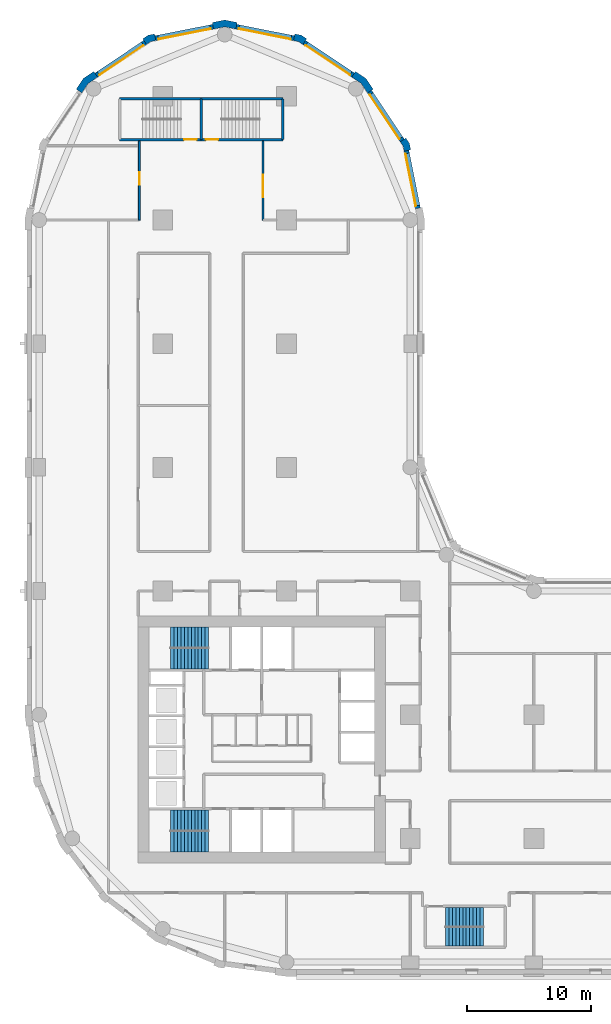
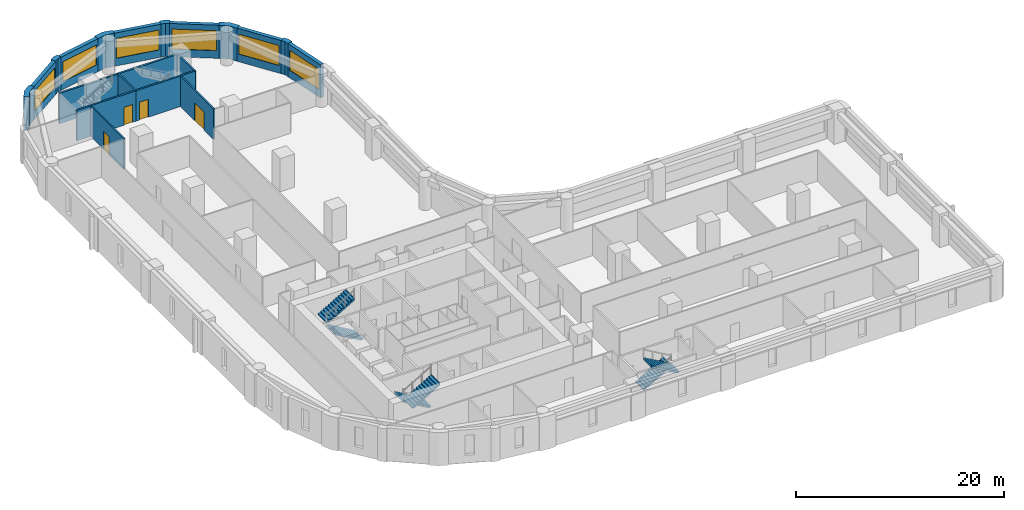
# One storey, part 8 of 11: 20 walls, 6 stair flights, 6 windows, 4 doors, 10 openings, 3 elements without a shape of their own.
"""IFC4 building model written with IfcOpenShell, lengths in metres."""

from ifc_helpers import new_model, si_unit, direction, frame, frame_2d, origin, place, context, subcontext, project, spatial, polyline, rectangle, outline, extrude, material, layer, layer_set, type_object, element, fill, aggregate, save


model = new_model("IFC4")

# Units and contexts
model_context = context("Model", 3, precision=1e-05, world=origin(), true_north=direction((0.0, 1.0)))
body_context = subcontext(model_context, "Body", "Model", "MODEL_VIEW")
ifc_project = project(units=[si_unit("LENGTHUNIT", "METRE"), si_unit("AREAUNIT", "SQUARE_METRE"), si_unit("VOLUMEUNIT", "CUBIC_METRE"), si_unit("PLANEANGLEUNIT", "RADIAN"), si_unit("MASSUNIT", "GRAM", prefix="KILO")], contexts=[model_context])

# Site, building, storey
site_placement = place(None, origin())
site = spatial("IfcSite", under=ifc_project, at=site_placement, CompositionType="ELEMENT")
building_placement = place(site_placement, origin())
building = spatial("IfcBuilding", under=site, at=building_placement, Name="Qaws Garden Tower", CompositionType="ELEMENT")
storey_placement = place(building_placement, frame((0.0, 0.0, 82.199951171875)))
storey = spatial("IfcBuildingStorey", under=building, at=storey_placement, Name="L20", CompositionType="ELEMENT", Elevation=82.199951171875)

# Wall, opening, window
ifc_material_1 = material(Name="Buff clay facing brick masonry", Category="masonry")
ifc_layer_1 = layer(ifc_material_1, 0.39990234375)
ifc_layer_set_1 = layer_set([ifc_layer_1], Name="Buff clay facing brick masonry")
wall_type_1 = type_object("IfcWallType", Name="Buff brick infill wall 400", PredefinedType="SOLIDWALL", material=ifc_layer_set_1)
wall_1_placement = place(storey_placement, frame((30.628662109375, 60.940673828125, 0.0), z_axis=(0.0, 0.0, 1.0), x_axis=(-0.195098533057, 0.98078364709, 0.0)))
wall_1 = element("IfcWall", 1, at=wall_1_placement, inside=storey, type_object=wall_type_1, Name="E-L20-infill-15", PredefinedType="SOLIDWALL", context=body_context, shape_type="SweptSolid", body=[
    extrude(rectangle(XDim=4.752685546875, YDim=0.39990234375, at=frame_2d((2.37646484375, 0.0))), origin(), (0.0, 0.0, 1.0), 3.900146484375),
])
opening_1_placement = place(wall_1_placement, frame((0.226318359375, 0.0, 0.89990234375)))
opening_1 = element("IfcOpeningElement", 2, at=opening_1_placement, cuts=wall_1, Name="Opening W06", PredefinedType="OPENING", context=body_context, shape_type="SweptSolid", body=[
    extrude(rectangle(XDim=4.300048828125, YDim=2.35009765625, at=frame_2d((2.14990234375, 1.175048828125))), frame((0.0, 0.2099609375, 0.0), z_axis=(0.0, -1.0, 0.0), x_axis=(1.0, 0.0, 0.0)), (0.0, 0.0, 1.0), 0.419921875),
])
ifc_material_2 = material(Name="Aluminium framed window, clear glazing", Category="aluminium")
window_type = type_object("IfcWindowType", Name="Ribbon window 4300 x 2350", PartitioningType="DOUBLE_PANEL_VERTICAL", PredefinedType="WINDOW", material=ifc_material_2)
window_1_placement = place(opening_1_placement, origin())
window_1 = element("IfcWindow", 3, at=window_1_placement, inside=storey, type_object=window_type, Name="E-L20-window-15-0", OverallHeight=2.35009765625, OverallWidth=4.300048828125, PartitioningType="SINGLE_PANEL", PredefinedType="WINDOW", context=body_context, shape_type="SweptSolid", body=[
    extrude(rectangle(XDim=4.300048828125, YDim=2.35009765625, at=frame_2d((2.14990234375, 1.175048828125))), frame((0.0, 0.159912109375, 0.0), z_axis=(0.0, -1.0, 0.0), x_axis=(1.0, 0.0, 0.0)), (0.0, 0.0, 1.0), 0.06005859375),
])
fill(opening_1, window_1)

wall_2_placement = place(storey_placement, frame((29.356689453125, 66.43408203125, 0.0), z_axis=(0.0, 0.0, 1.0), x_axis=(-0.555541552266, 0.831488775454, 0.0)))
wall_2 = element("IfcWall", 4, at=wall_2_placement, inside=storey, type_object=wall_type_1, Name="E-L20-infill-16", PredefinedType="SOLIDWALL", context=body_context, shape_type="SweptSolid", body=[
    extrude(rectangle(XDim=4.752685546875, YDim=0.39990234375, at=frame_2d((2.37646484375, 0.0))), origin(), (0.0, 0.0, 1.0), 3.900146484375),
])
opening_2_placement = place(wall_2_placement, frame((0.226318359375, 0.0, 0.89990234375)))
opening_2 = element("IfcOpeningElement", 5, at=opening_2_placement, cuts=wall_2, Name="Opening W06", PredefinedType="OPENING", context=body_context, shape_type="SweptSolid", body=[
    extrude(rectangle(XDim=4.300048828125, YDim=2.35009765625, at=frame_2d((2.14990234375, 1.175048828125))), frame((0.0, 0.2099609375, 0.0), z_axis=(0.0, -1.0, 0.0), x_axis=(1.0, 0.0, 0.0)), (0.0, 0.0, 1.0), 0.419921875),
])
window_2_placement = place(opening_2_placement, origin())
window_2 = element("IfcWindow", 6, at=window_2_placement, inside=storey, type_object=window_type, Name="E-L20-window-16-0", OverallHeight=2.35009765625, OverallWidth=4.300048828125, PartitioningType="SINGLE_PANEL", PredefinedType="WINDOW", context=body_context, shape_type="SweptSolid", body=[
    extrude(rectangle(XDim=4.300048828125, YDim=2.35009765625, at=frame_2d((2.14990234375, 1.175048828125))), frame((0.0, 0.159912109375, 0.0), z_axis=(0.0, -1.0, 0.0), x_axis=(1.0, 0.0, 0.0)), (0.0, 0.0, 1.0), 0.06005859375),
])
fill(opening_2, window_2)

wall_3_placement = place(storey_placement, frame((25.385986328125, 71.71630859375, 0.0), z_axis=(0.0, 0.0, 1.0), x_axis=(-0.831488775454, 0.555541552266, 0.0)))
wall_3 = element("IfcWall", 7, at=wall_3_placement, inside=storey, type_object=wall_type_1, Name="E-L20-infill-17", PredefinedType="SOLIDWALL", context=body_context, shape_type="SweptSolid", body=[
    extrude(rectangle(XDim=4.752685546875, YDim=0.39990234375, at=frame_2d((2.37646484375, 0.0))), origin(), (0.0, 0.0, 1.0), 3.900146484375),
])
opening_3_placement = place(wall_3_placement, frame((0.226318359375, 0.0, 0.89990234375)))
opening_3 = element("IfcOpeningElement", 8, at=opening_3_placement, cuts=wall_3, Name="Opening W06", PredefinedType="OPENING", context=body_context, shape_type="SweptSolid", body=[
    extrude(rectangle(XDim=4.300048828125, YDim=2.35009765625, at=frame_2d((2.14990234375, 1.175048828125))), frame((0.0, 0.2099609375, 0.0), z_axis=(0.0, -1.0, 0.0), x_axis=(1.0, 0.0, 0.0)), (0.0, 0.0, 1.0), 0.419921875),
])
window_3_placement = place(opening_3_placement, origin())
window_3 = element("IfcWindow", 9, at=window_3_placement, inside=storey, type_object=window_type, Name="E-L20-window-17-0", OverallHeight=2.35009765625, OverallWidth=4.300048828125, PartitioningType="SINGLE_PANEL", PredefinedType="WINDOW", context=body_context, shape_type="SweptSolid", body=[
    extrude(rectangle(XDim=4.300048828125, YDim=2.35009765625, at=frame_2d((2.14990234375, 1.175048828125))), frame((0.0, 0.159912109375, 0.0), z_axis=(0.0, -1.0, 0.0), x_axis=(1.0, 0.0, 0.0)), (0.0, 0.0, 1.0), 0.06005859375),
])
fill(opening_3, window_3)

wall_4_placement = place(storey_placement, frame((20.60205078125, 74.701416015625, 0.0), z_axis=(0.0, 0.0, 1.0), x_axis=(-0.98078364709, 0.195098533057, 0.0)))
wall_4 = element("IfcWall", 10, at=wall_4_placement, inside=storey, type_object=wall_type_1, Name="E-L20-infill-18", PredefinedType="SOLIDWALL", context=body_context, shape_type="SweptSolid", body=[
    extrude(rectangle(XDim=4.752685546875, YDim=0.39990234375, at=frame_2d((2.37646484375, 0.0))), origin(), (0.0, 0.0, 1.0), 3.900146484375),
])
opening_4_placement = place(wall_4_placement, frame((0.226318359375, 0.0, 0.89990234375)))
opening_4 = element("IfcOpeningElement", 11, at=opening_4_placement, cuts=wall_4, Name="Opening W06", PredefinedType="OPENING", context=body_context, shape_type="SweptSolid", body=[
    extrude(rectangle(XDim=4.300048828125, YDim=2.35009765625, at=frame_2d((2.14990234375, 1.175048828125))), frame((0.0, 0.2099609375, 0.0), z_axis=(0.0, -1.0, 0.0), x_axis=(1.0, 0.0, 0.0)), (0.0, 0.0, 1.0), 0.419921875),
])
window_4_placement = place(opening_4_placement, origin())
window_4 = element("IfcWindow", 12, at=window_4_placement, inside=storey, type_object=window_type, Name="E-L20-window-18-0", OverallHeight=2.35009765625, OverallWidth=4.300048828125, PartitioningType="SINGLE_PANEL", PredefinedType="WINDOW", context=body_context, shape_type="SweptSolid", body=[
    extrude(rectangle(XDim=4.300048828125, YDim=2.35009765625, at=frame_2d((2.14990234375, 1.175048828125))), frame((0.0, 0.159912109375, 0.0), z_axis=(0.0, -1.0, 0.0), x_axis=(1.0, 0.0, 0.0)), (0.0, 0.0, 1.0), 0.06005859375),
])
fill(opening_4, window_4)

wall_5_placement = place(storey_placement, frame((14.059326171875, 75.628662109375, 0.0), z_axis=(0.0, 0.0, 1.0), x_axis=(-0.98078364709, -0.195098533057, 0.0)))
wall_5 = element("IfcWall", 13, at=wall_5_placement, inside=storey, type_object=wall_type_1, Name="E-L20-infill-19", PredefinedType="SOLIDWALL", context=body_context, shape_type="SweptSolid", body=[
    extrude(rectangle(XDim=4.752685546875, YDim=0.39990234375, at=frame_2d((2.37646484375, 0.0))), origin(), (0.0, 0.0, 1.0), 3.900146484375),
])
opening_5_placement = place(wall_5_placement, frame((0.226318359375, 0.0, 0.89990234375)))
opening_5 = element("IfcOpeningElement", 14, at=opening_5_placement, cuts=wall_5, Name="Opening W06", PredefinedType="OPENING", context=body_context, shape_type="SweptSolid", body=[
    extrude(rectangle(XDim=4.300048828125, YDim=2.35009765625, at=frame_2d((2.14990234375, 1.175048828125))), frame((0.0, 0.2099609375, 0.0), z_axis=(0.0, -1.0, 0.0), x_axis=(1.0, 0.0, 0.0)), (0.0, 0.0, 1.0), 0.419921875),
])
window_5_placement = place(opening_5_placement, origin())
window_5 = element("IfcWindow", 15, at=window_5_placement, inside=storey, type_object=window_type, Name="E-L20-window-19-0", OverallHeight=2.35009765625, OverallWidth=4.300048828125, PartitioningType="SINGLE_PANEL", PredefinedType="WINDOW", context=body_context, shape_type="SweptSolid", body=[
    extrude(rectangle(XDim=4.300048828125, YDim=2.35009765625, at=frame_2d((2.14990234375, 1.175048828125))), frame((0.0, 0.159912109375, 0.0), z_axis=(0.0, -1.0, 0.0), x_axis=(1.0, 0.0, 0.0)), (0.0, 0.0, 1.0), 0.06005859375),
])
fill(opening_5, window_5)

wall_6_placement = place(storey_placement, frame((8.56591796875, 74.356689453125, 0.0), z_axis=(0.0, 0.0, 1.0), x_axis=(-0.831488775454, -0.555541552266, 0.0)))
wall_6 = element("IfcWall", 16, at=wall_6_placement, inside=storey, type_object=wall_type_1, Name="E-L20-infill-20", PredefinedType="SOLIDWALL", context=body_context, shape_type="SweptSolid", body=[
    extrude(rectangle(XDim=4.752685546875, YDim=0.39990234375, at=frame_2d((2.37646484375, 0.0))), origin(), (0.0, 0.0, 1.0), 3.900146484375),
])
opening_6_placement = place(wall_6_placement, frame((0.226318359375, 0.0, 0.89990234375)))
opening_6 = element("IfcOpeningElement", 17, at=opening_6_placement, cuts=wall_6, Name="Opening W06", PredefinedType="OPENING", context=body_context, shape_type="SweptSolid", body=[
    extrude(rectangle(XDim=4.300048828125, YDim=2.35009765625, at=frame_2d((2.14990234375, 1.175048828125))), frame((0.0, 0.2099609375, 0.0), z_axis=(0.0, -1.0, 0.0), x_axis=(1.0, 0.0, 0.0)), (0.0, 0.0, 1.0), 0.419921875),
])
window_6_placement = place(opening_6_placement, origin())
window_6 = element("IfcWindow", 18, at=window_6_placement, inside=storey, type_object=window_type, Name="E-L20-window-20-0", OverallHeight=2.35009765625, OverallWidth=4.300048828125, PartitioningType="SINGLE_PANEL", PredefinedType="WINDOW", context=body_context, shape_type="SweptSolid", body=[
    extrude(rectangle(XDim=4.300048828125, YDim=2.35009765625, at=frame_2d((2.14990234375, 1.175048828125))), frame((0.0, 0.159912109375, 0.0), z_axis=(0.0, -1.0, 0.0), x_axis=(1.0, 0.0, 0.0)), (0.0, 0.0, 1.0), 0.06005859375),
])
fill(opening_6, window_6)

# Walls
ifc_material_3 = material(Name="Buff clay facing brick masonry", Category="masonry")
ifc_layer_2 = layer(ifc_material_3, 0.550048828125)
ifc_layer_set_2 = layer_set([ifc_layer_2], Name="Buff clay facing brick masonry")
wall_type_2 = type_object("IfcWallType", Name="Buff brick kink pier 550 x 600", PredefinedType="SOLIDWALL", material=ifc_layer_set_2)
placement = place(storey_placement, origin())
element("IfcWall", 19, at=placement, inside=storey, type_object=wall_type_2, Name="E-L20-pier-16", PredefinedType="SOLIDWALL", context=body_context, shape_type="SweptSolid", body=[
    extrude(outline(polyline([(29.8974609375, 65.64111328125), (30.044677734375, 65.67041015625), (29.94140625, 66.18896484375), (29.647705078125, 66.628662109375), (29.52294921875, 66.545166015625), (29.1904296875, 66.322998046875), (29.42333984375, 65.974365234375), (29.505126953125, 65.56298828125), (29.8974609375, 65.64111328125)])), origin(), (0.0, 0.0, 1.0), 3.900146484375),
])
element("IfcWall", 20, at=placement, inside=storey, type_object=wall_type_2, Name="E-L20-pier-18", PredefinedType="SOLIDWALL", context=body_context, shape_type="SweptSolid", body=[
    extrude(outline(polyline([(21.545166015625, 74.52294921875), (21.628662109375, 74.647705078125), (21.18896484375, 74.94140625), (20.67041015625, 75.044677734375), (20.64111328125, 74.8974609375), (20.56298828125, 74.505126953125), (20.974365234375, 74.42333984375), (21.322998046875, 74.1904296875), (21.545166015625, 74.52294921875)])), origin(), (0.0, 0.0, 1.0), 3.900146484375),
])
element("IfcWall", 21, at=placement, inside=storey, type_object=wall_type_2, Name="E-L20-pier-20", PredefinedType="SOLIDWALL", context=body_context, shape_type="SweptSolid", body=[
    extrude(outline(polyline([(9.35888671875, 74.8974609375), (9.32958984375, 75.044677734375), (8.81103515625, 74.94140625), (8.371337890625, 74.647705078125), (8.454833984375, 74.52294921875), (8.677001953125, 74.1904296875), (9.025634765625, 74.42333984375), (9.43701171875, 74.505126953125), (9.35888671875, 74.8974609375)])), origin(), (0.0, 0.0, 1.0), 3.900146484375),
])
ifc_material_4 = material(Name="Buff clay facing brick masonry", Category="masonry")
ifc_layer_3 = layer(ifc_material_4, 0.550048828125)
ifc_layer_set_3 = layer_set([ifc_layer_3], Name="Buff clay facing brick masonry")
wall_type_3 = type_object("IfcWallType", Name="Buff brick pier 550 x 1600", PredefinedType="SOLIDWALL", material=ifc_layer_set_3)
element("IfcWall", 22, at=placement, inside=storey, type_object=wall_type_3, Name="E-L20-pier-17", PredefinedType="SOLIDWALL", context=body_context, shape_type="SweptSolid", body=[
    extrude(outline(polyline([(26.882568359375, 70.4970703125), (27.00732421875, 70.580322265625), (26.435791015625, 71.435791015625), (25.580322265625, 72.00732421875), (25.4970703125, 71.882568359375), (25.274658203125, 71.550048828125), (26.0390625, 71.0390625), (26.550048828125, 70.274658203125), (26.882568359375, 70.4970703125)])), origin(), (0.0, 0.0, 1.0), 3.900146484375),
])
element("IfcWall", 23, at=placement, inside=storey, type_object=wall_type_3, Name="E-L20-pier-19", PredefinedType="SOLIDWALL", context=body_context, shape_type="SweptSolid", body=[
    extrude(outline(polyline([(15.979736328125, 75.82470703125), (16.009033203125, 75.971923828125), (15.0, 76.172607421875), (13.990966796875, 75.971923828125), (14.020263671875, 75.82470703125), (14.098388671875, 75.432373046875), (15.0, 75.61181640625), (15.901611328125, 75.432373046875), (15.979736328125, 75.82470703125)])), origin(), (0.0, 0.0, 1.0), 3.900146484375),
])
element("IfcWall", 24, at=placement, inside=storey, type_object=wall_type_3, Name="E-L20-pier-21", PredefinedType="SOLIDWALL", context=body_context, shape_type="SweptSolid", body=[
    extrude(outline(polyline([(4.5029296875, 71.882568359375), (4.419677734375, 72.00732421875), (3.564208984375, 71.435791015625), (2.99267578125, 70.580322265625), (3.117431640625, 70.4970703125), (3.449951171875, 70.274658203125), (3.9609375, 71.0390625), (4.725341796875, 71.550048828125), (4.5029296875, 71.882568359375)])), origin(), (0.0, 0.0, 1.0), 3.900146484375),
])

# Wall, opening, door
ifc_material_5 = material(Name="Concrete C80", Category="concrete")
ifc_layer_4 = layer(ifc_material_5, 0.199951171875)
ifc_layer_set_4 = layer_set([ifc_layer_4], Name="Concrete C80")
wall_type_4 = type_object("IfcWallType", Name="Core shaft wall 200 C80", PredefinedType="SHEAR", material=ifc_layer_set_4)
wall_13_placement = place(storey_placement, frame((6.5, 66.5, 0.0), z_axis=(0.0, 0.0, 1.0), x_axis=(1.0, 0.0, 0.0)))
wall_13 = element("IfcWall", 25, at=wall_13_placement, inside=storey, type_object=wall_type_4, Name="Shaft wall", PredefinedType="SHEAR", context=body_context, shape_type="SweptSolid", body=[
    extrude(rectangle(XDim=6.60009765625, YDim=0.199951171875, at=frame_2d((3.300048828125, 0.0))), origin(), (0.0, 0.0, 1.0), 3.580078125),
])
opening_7_placement = place(wall_13_placement, frame((5.22509765625, 0.0, 0.0)))
opening_7 = element("IfcOpeningElement", 26, at=opening_7_placement, cuts=wall_13, Name="Opening SD13", PredefinedType="OPENING", context=body_context, shape_type="SweptSolid", body=[
    extrude(rectangle(XDim=1.0, YDim=2.10009765625, at=frame_2d((0.5, 1.050048828125))), frame((0.0, 0.10986328125, 0.0), z_axis=(0.0, -1.0, 0.0), x_axis=(1.0, 0.0, 0.0)), (0.0, 0.0, 1.0), 0.219970703125),
])
ifc_material_6 = material(Name="Steel S235", Category="steel")
door_type_1 = type_object("IfcDoorType", Name="Stair door 1000x2100", OperationType="SINGLE_SWING_RIGHT", PredefinedType="DOOR", material=ifc_material_6)
door_1_placement = place(opening_7_placement, origin())
door_1 = element("IfcDoor", 27, at=door_1_placement, inside=storey, type_object=door_type_1, Name="Stair 6 door", OperationType="SINGLE_SWING_RIGHT", OverallHeight=2.10009765625, OverallWidth=1.0, PredefinedType="DOOR", context=body_context, shape_type="SweptSolid", body=[
    extrude(rectangle(XDim=1.0, YDim=2.10009765625, at=frame_2d((0.5, 1.050048828125))), frame((0.0, 0.02490234375, 0.0), z_axis=(0.0, -1.0, 0.0), x_axis=(1.0, 0.0, 0.0)), (0.0, 0.0, 1.0), 0.050048828125),
])
fill(opening_7, door_1)

wall_14_placement = place(storey_placement, frame((13.10009765625, 66.5, 0.0), z_axis=(0.0, 0.0, 1.0), x_axis=(1.0, 0.0, 0.0)))
wall_14 = element("IfcWall", 28, at=wall_14_placement, inside=storey, type_object=wall_type_4, Name="Shaft wall", PredefinedType="SHEAR", context=body_context, shape_type="SweptSolid", body=[
    extrude(rectangle(XDim=6.599853515625, YDim=0.199951171875, at=frame_2d((3.2998046875, 0.0))), origin(), (0.0, 0.0, 1.0), 3.580078125),
])
opening_8_placement = place(wall_14_placement, frame((0.375, 0.0, 0.0)))
opening_8 = element("IfcOpeningElement", 29, at=opening_8_placement, cuts=wall_14, Name="Opening SD14", PredefinedType="OPENING", context=body_context, shape_type="SweptSolid", body=[
    extrude(rectangle(XDim=1.0, YDim=2.10009765625, at=frame_2d((0.5, 1.050048828125))), frame((0.0, 0.10986328125, 0.0), z_axis=(0.0, -1.0, 0.0), x_axis=(1.0, 0.0, 0.0)), (0.0, 0.0, 1.0), 0.219970703125),
])
door_2_placement = place(opening_8_placement, origin())
door_2 = element("IfcDoor", 30, at=door_2_placement, inside=storey, type_object=door_type_1, Name="Stair 7 door", OperationType="SINGLE_SWING_LEFT", OverallHeight=2.10009765625, OverallWidth=1.0, PredefinedType="DOOR", context=body_context, shape_type="SweptSolid", body=[
    extrude(rectangle(XDim=1.0, YDim=2.10009765625, at=frame_2d((0.5, 1.050048828125))), frame((0.0, 0.02490234375, 0.0), z_axis=(0.0, -1.0, 0.0), x_axis=(1.0, 0.0, 0.0)), (0.0, 0.0, 1.0), 0.050048828125),
])
fill(opening_8, door_2)

# Walls
wall_15_placement = place(storey_placement, frame((6.5, 69.800048828125, 0.0), z_axis=(0.0, 0.0, 1.0), x_axis=(1.0, 0.0, 0.0)))
element("IfcWall", 31, at=wall_15_placement, inside=storey, type_object=wall_type_4, Name="Shaft wall", PredefinedType="SHEAR", context=body_context, shape_type="SweptSolid", body=[
    extrude(rectangle(XDim=6.60009765625, YDim=0.199951171875, at=frame_2d((3.300048828125, 0.0))), origin(), (0.0, 0.0, 1.0), 3.580078125),
])
wall_16_placement = place(storey_placement, frame((13.10009765625, 69.800048828125, 0.0), z_axis=(0.0, 0.0, 1.0), x_axis=(1.0, 0.0, 0.0)))
element("IfcWall", 32, at=wall_16_placement, inside=storey, type_object=wall_type_4, Name="Shaft wall", PredefinedType="SHEAR", context=body_context, shape_type="SweptSolid", body=[
    extrude(rectangle(XDim=6.599853515625, YDim=0.199951171875, at=frame_2d((3.2998046875, 0.0))), origin(), (0.0, 0.0, 1.0), 3.580078125),
])
for number, where, z_axis, x_axis, name in (
    (33, (13.10009765625, 66.5, 0.0), (0.0, 0.0, 1.0), (0.0, 1.0, 0.0), "Shaft wall"),
    (34, (19.699951171875, 66.5, 0.0), (0.0, 0.0, 1.0), (0.0, 1.0, 0.0), "Shaft wall"),
):
    element("IfcWall", number, at=place(storey_placement, frame(where, z_axis=z_axis, x_axis=x_axis)), inside=storey, type_object=wall_type_4, Name=name, PredefinedType="SHEAR", context=body_context, shape_type="SweptSolid", body=[
        extrude(rectangle(XDim=3.300048828125, YDim=0.199951171875, at=frame_2d((1.64990234375, 0.0))), origin(), (0.0, 0.0, 1.0), 3.580078125),
    ])

# Wall, opening, door
ifc_material_7 = material(Name="Gypsum board partition")
ifc_layer_5 = layer(ifc_material_7, 0.14990234375)
ifc_layer_set_5 = layer_set([ifc_layer_5], Name="Gypsum board partition")
wall_type_5 = type_object("IfcWallType", Name="PARTITION 150 EI 60", PredefinedType="PARTITIONING", material=ifc_layer_set_5)
wall_17_placement = place(storey_placement, frame((8.10009765625, 60.0, 0.0), z_axis=(0.0, 0.0, 1.0), x_axis=(0.0, 1.0, 0.0)))
wall_17 = element("IfcWall", 35, at=wall_17_placement, inside=storey, type_object=wall_type_5, Name="O-L20-wall-004", PredefinedType="PARTITIONING", context=body_context, shape_type="SweptSolid", body=[
    extrude(rectangle(XDim=6.39990234375, YDim=0.14990234375, at=frame_2d((3.199951171875, 0.0))), origin(), (0.0, 0.0, 1.0), 3.580078125),
])
opening_9_placement = place(wall_17_placement, frame((2.85009765625, 0.0, 0.0)))
opening_9 = element("IfcOpeningElement", 36, at=opening_9_placement, cuts=wall_17, Name="Opening A716", PredefinedType="OPENING", context=body_context, shape_type="SweptSolid", body=[
    extrude(rectangle(XDim=1.0, YDim=2.10009765625, at=frame_2d((0.5, 1.050048828125))), frame((0.0, 0.0849609375, 0.0), z_axis=(0.0, -1.0, 0.0), x_axis=(1.0, 0.0, 0.0)), (0.0, 0.0, 1.0), 0.169921875),
])
ifc_material_8 = material(Name="Timber door leaf", Category="wood")
door_type_2 = type_object("IfcDoorType", Name="TENANCY ENTRANCE DOOR 1000 X 2100", OperationType="SINGLE_SWING_LEFT", PredefinedType="DOOR", material=ifc_material_8)
door_3_placement = place(opening_9_placement, origin())
door_3 = element("IfcDoor", 37, at=door_3_placement, inside=storey, type_object=door_type_2, Name="O-L20-door-016", OperationType="SINGLE_SWING_LEFT", OverallHeight=2.10009765625, OverallWidth=1.0, PredefinedType="DOOR", context=body_context, shape_type="SweptSolid", body=[
    extrude(rectangle(XDim=1.0, YDim=2.10009765625, at=frame_2d((0.5, 1.050048828125))), frame((0.0, 0.02490234375, 0.0), z_axis=(0.0, -1.0, 0.0), x_axis=(1.0, 0.0, 0.0)), (0.0, 0.0, 1.0), 0.050048828125),
])
fill(opening_9, door_3)

wall_18_placement = place(storey_placement, frame((18.10009765625, 60.0, 0.0), z_axis=(0.0, 0.0, 1.0), x_axis=(0.0, 1.0, 0.0)))
wall_18 = element("IfcWall", 38, at=wall_18_placement, inside=storey, type_object=wall_type_5, Name="O-L20-wall-010", PredefinedType="PARTITIONING", context=body_context, shape_type="SweptSolid", body=[
    extrude(rectangle(XDim=6.39990234375, YDim=0.14990234375, at=frame_2d((3.199951171875, 0.0))), origin(), (0.0, 0.0, 1.0), 3.580078125),
])
opening_10_placement = place(wall_18_placement, frame((1.85009765625, 0.0, 0.0)))
opening_10 = element("IfcOpeningElement", 39, at=opening_10_placement, cuts=wall_18, Name="Opening A717", PredefinedType="OPENING", context=body_context, shape_type="SweptSolid", body=[
    extrude(rectangle(XDim=1.800048828125, YDim=2.10009765625, at=frame_2d((0.89990234375, 1.050048828125))), frame((0.0, 0.0849609375, 0.0), z_axis=(0.0, -1.0, 0.0), x_axis=(1.0, 0.0, 0.0)), (0.0, 0.0, 1.0), 0.169921875),
])
ifc_material_9 = material(Name="Timber door leaf", Category="wood")
door_type_3 = type_object("IfcDoorType", Name="DOUBLE DOOR 1800 X 2100", OperationType="DOUBLE_DOOR_SINGLE_SWING", PredefinedType="DOOR", material=ifc_material_9)
door_4_placement = place(opening_10_placement, frame((1.800048828125, 0.0, 0.0), z_axis=(0.0, 0.0, 1.0), x_axis=(-1.0, 0.0, 0.0)))
door_4 = element("IfcDoor", 40, at=door_4_placement, inside=storey, type_object=door_type_3, Name="O-L20-door-017", OperationType="DOUBLE_DOOR_SINGLE_SWING", OverallHeight=2.10009765625, OverallWidth=1.800048828125, PredefinedType="DOOR", context=body_context, shape_type="SweptSolid", body=[
    extrude(rectangle(XDim=1.800048828125, YDim=2.10009765625, at=frame_2d((0.89990234375, 1.050048828125))), frame((0.0, 0.02490234375, 0.0), z_axis=(0.0, -1.0, 0.0), x_axis=(1.0, 0.0, 0.0)), (0.0, 0.0, 1.0), 0.050048828125),
])
fill(opening_10, door_4)

# Stair, stair flights
ifc_material_10 = material(Name="Concrete C40", Category="concrete")
stair_type_1 = type_object("IfcStairType", Name="Exit stair 1350", PredefinedType="HALF_TURN_STAIR", material=ifc_material_10)
stair_1 = element("IfcStair", 41, at=placement, inside=storey, type_object=stair_type_1, Name="Stair 5", PredefinedType="HALF_TURN_STAIR")
ifc_material_11 = material(Name="Concrete C40", Category="concrete")
stair_flight_type_1 = type_object("IfcStairFlightType", Name="Stair flight 1350", PredefinedType="STRAIGHT", material=ifc_material_11)
stair_flight_1_placement = place(storey_placement, frame((32.85009765625, 3.625, 0.0), z_axis=(0.0, 0.0, 1.0), x_axis=(1.0, 0.0, 0.0)))
stair_flight_1 = element("IfcStairFlight", 42, at=stair_flight_1_placement, type_object=stair_flight_type_1, Name="ST5 flight 1", NumberOfRisers=12, NumberOfTreads=11, PredefinedType="STRAIGHT", RiserHeight=0.1625, TreadLength=0.28, context=body_context, shape_type="SweptSolid", body=[
    extrude(outline(polyline([(-0.0029296875, 0.0), (-0.0029296875, 0.16259765625), (0.0, 0.16259765625), (0.280029296875, 0.16259765625), (0.280029296875, 0.324951171875), (0.56005859375, 0.324951171875), (0.56005859375, 0.487548828125), (0.840087890625, 0.487548828125), (0.840087890625, 0.64990234375), (1.1201171875, 0.64990234375), (1.1201171875, 0.8125), (1.39990234375, 0.8125), (1.39990234375, 0.97509765625), (1.679931640625, 0.97509765625), (1.679931640625, 1.137451171875), (1.9599609375, 1.137451171875), (1.9599609375, 1.300048828125), (2.239990234375, 1.300048828125), (2.239990234375, 1.46240234375), (2.52001953125, 1.46240234375), (2.52001953125, 1.625), (2.800048828125, 1.625), (2.800048828125, 1.78759765625), (3.080078125, 1.78759765625), (3.080078125, 1.949951171875), (3.0830078125, 1.949951171875), (3.0830078125, 1.6142578125), (3.080078125, 1.6142578125), (0.298583984375, 0.0), (-0.0029296875, 0.0)])), frame((0.0, 0.77490234375, 0.0), z_axis=(0.0, -1.0, 0.0), x_axis=(1.0, 0.0, 0.0)), (0.0, 0.0, 1.0), 1.550048828125),
])
stair_flight_2_placement = place(storey_placement, frame((35.929931640625, 2.074951171875, 1.949951171875), z_axis=(0.0, 0.0, 1.0), x_axis=(-1.0, 0.0, 0.0)))
stair_flight_2 = element("IfcStairFlight", 43, at=stair_flight_2_placement, type_object=stair_flight_type_1, Name="ST5 flight 2", NumberOfRisers=12, NumberOfTreads=11, PredefinedType="STRAIGHT", RiserHeight=0.1625, TreadLength=0.28, context=body_context, shape_type="SweptSolid", body=[
    extrude(outline(polyline([(-0.0029296875, 0.0), (-0.0029296875, 0.16259765625), (0.0, 0.16259765625), (0.280029296875, 0.16259765625), (0.280029296875, 0.324951171875), (0.56005859375, 0.324951171875), (0.56005859375, 0.487548828125), (0.840087890625, 0.487548828125), (0.840087890625, 0.64990234375), (1.1201171875, 0.64990234375), (1.1201171875, 0.8125), (1.39990234375, 0.8125), (1.39990234375, 0.97509765625), (1.679931640625, 0.97509765625), (1.679931640625, 1.137451171875), (1.9599609375, 1.137451171875), (1.9599609375, 1.300048828125), (2.239990234375, 1.300048828125), (2.239990234375, 1.46240234375), (2.52001953125, 1.46240234375), (2.52001953125, 1.625), (2.800048828125, 1.625), (2.800048828125, 1.78759765625), (3.080078125, 1.78759765625), (3.080078125, 1.949951171875), (3.0830078125, 1.949951171875), (3.0830078125, 1.6142578125), (3.080078125, 1.6142578125), (0.298583984375, 0.0), (-0.0029296875, 0.0)])), frame((0.0, 0.77490234375, 0.0), z_axis=(0.0, -1.0, 0.0), x_axis=(1.0, 0.0, 0.0)), (0.0, 0.0, 1.0), 1.550048828125),
])
aggregate(stair_1, [stair_flight_1, stair_flight_2])

ifc_material_12 = material(Name="Concrete C40", Category="concrete")
stair_type_2 = type_object("IfcStairType", Name="Exit stair 1500", PredefinedType="HALF_TURN_STAIR", material=ifc_material_12)
stair_2 = element("IfcStair", 44, at=placement, inside=storey, type_object=stair_type_2, Name="Stair 1", PredefinedType="HALF_TURN_STAIR")
ifc_material_13 = material(Name="Concrete C40", Category="concrete")
stair_flight_type_2 = type_object("IfcStairFlightType", Name="Stair flight 1500", PredefinedType="STRAIGHT", material=ifc_material_13)
stair_flight_3_placement = place(storey_placement, frame((13.699951171875, 11.449951171875, 0.0), z_axis=(0.0, 0.0, 1.0), x_axis=(-1.0, 0.0, 0.0)))
stair_flight_3 = element("IfcStairFlight", 45, at=stair_flight_3_placement, type_object=stair_flight_type_2, Name="ST1 flight 1", NumberOfRisers=12, NumberOfTreads=11, PredefinedType="STRAIGHT", RiserHeight=0.1625, TreadLength=0.28, context=body_context, shape_type="SweptSolid", body=[
    extrude(outline(polyline([(-0.0029296875, 0.0), (-0.0029296875, 0.16259765625), (0.0, 0.16259765625), (0.280029296875, 0.16259765625), (0.280029296875, 0.324951171875), (0.56005859375, 0.324951171875), (0.56005859375, 0.487548828125), (0.840087890625, 0.487548828125), (0.840087890625, 0.64990234375), (1.1201171875, 0.64990234375), (1.1201171875, 0.8125), (1.39990234375, 0.8125), (1.39990234375, 0.97509765625), (1.679931640625, 0.97509765625), (1.679931640625, 1.137451171875), (1.9599609375, 1.137451171875), (1.9599609375, 1.300048828125), (2.239990234375, 1.300048828125), (2.239990234375, 1.46240234375), (2.52001953125, 1.46240234375), (2.52001953125, 1.625), (2.800048828125, 1.625), (2.800048828125, 1.78759765625), (3.080078125, 1.78759765625), (3.080078125, 1.949951171875), (3.0830078125, 1.949951171875), (3.0830078125, 1.6142578125), (3.080078125, 1.6142578125), (0.298583984375, 0.0), (-0.0029296875, 0.0)])), frame((0.0, 0.85009765625, 0.0), z_axis=(0.0, -1.0, 0.0), x_axis=(1.0, 0.0, 0.0)), (0.0, 0.0, 1.0), 1.699951171875),
])
stair_flight_4_placement = place(storey_placement, frame((10.6201171875, 9.75, 1.949951171875), z_axis=(0.0, 0.0, 1.0), x_axis=(1.0, 0.0, 0.0)))
stair_flight_4 = element("IfcStairFlight", 46, at=stair_flight_4_placement, type_object=stair_flight_type_2, Name="ST1 flight 2", NumberOfRisers=12, NumberOfTreads=11, PredefinedType="STRAIGHT", RiserHeight=0.1625, TreadLength=0.28, context=body_context, shape_type="SweptSolid", body=[
    extrude(outline(polyline([(-0.0029296875, 0.0), (-0.0029296875, 0.16259765625), (0.0, 0.16259765625), (0.280029296875, 0.16259765625), (0.280029296875, 0.324951171875), (0.56005859375, 0.324951171875), (0.56005859375, 0.487548828125), (0.840087890625, 0.487548828125), (0.840087890625, 0.64990234375), (1.1201171875, 0.64990234375), (1.1201171875, 0.8125), (1.39990234375, 0.8125), (1.39990234375, 0.97509765625), (1.679931640625, 0.97509765625), (1.679931640625, 1.137451171875), (1.9599609375, 1.137451171875), (1.9599609375, 1.300048828125), (2.239990234375, 1.300048828125), (2.239990234375, 1.46240234375), (2.52001953125, 1.46240234375), (2.52001953125, 1.625), (2.800048828125, 1.625), (2.800048828125, 1.78759765625), (3.080078125, 1.78759765625), (3.080078125, 1.949951171875), (3.0830078125, 1.949951171875), (3.0830078125, 1.6142578125), (3.080078125, 1.6142578125), (0.298583984375, 0.0), (-0.0029296875, 0.0)])), frame((0.0, 0.85009765625, 0.0), z_axis=(0.0, -1.0, 0.0), x_axis=(1.0, 0.0, 0.0)), (0.0, 0.0, 1.0), 1.699951171875),
])
aggregate(stair_2, [stair_flight_3, stair_flight_4])

stair_3 = element("IfcStair", 47, at=placement, inside=storey, type_object=stair_type_2, Name="Stair 4", PredefinedType="HALF_TURN_STAIR")
stair_flight_5_placement = place(storey_placement, frame((13.699951171875, 24.550048828125, 0.0), z_axis=(0.0, 0.0, 1.0), x_axis=(-1.0, 0.0, 0.0)))
stair_flight_5 = element("IfcStairFlight", 48, at=stair_flight_5_placement, type_object=stair_flight_type_2, Name="ST4 flight 1", NumberOfRisers=12, NumberOfTreads=11, PredefinedType="STRAIGHT", RiserHeight=0.1625, TreadLength=0.28, context=body_context, shape_type="SweptSolid", body=[
    extrude(outline(polyline([(-0.0029296875, 0.0), (-0.0029296875, 0.16259765625), (0.0, 0.16259765625), (0.280029296875, 0.16259765625), (0.280029296875, 0.324951171875), (0.56005859375, 0.324951171875), (0.56005859375, 0.487548828125), (0.840087890625, 0.487548828125), (0.840087890625, 0.64990234375), (1.1201171875, 0.64990234375), (1.1201171875, 0.8125), (1.39990234375, 0.8125), (1.39990234375, 0.97509765625), (1.679931640625, 0.97509765625), (1.679931640625, 1.137451171875), (1.9599609375, 1.137451171875), (1.9599609375, 1.300048828125), (2.239990234375, 1.300048828125), (2.239990234375, 1.46240234375), (2.52001953125, 1.46240234375), (2.52001953125, 1.625), (2.800048828125, 1.625), (2.800048828125, 1.78759765625), (3.080078125, 1.78759765625), (3.080078125, 1.949951171875), (3.0830078125, 1.949951171875), (3.0830078125, 1.6142578125), (3.080078125, 1.6142578125), (0.298583984375, 0.0), (-0.0029296875, 0.0)])), frame((0.0, 0.844970703125, 0.0), z_axis=(0.0, -1.0, 0.0), x_axis=(1.0, 0.0, 0.0)), (0.0, 0.0, 1.0), 1.68994140625),
])
stair_flight_6_placement = place(storey_placement, frame((10.6201171875, 26.25, 1.949951171875), z_axis=(0.0, 0.0, 1.0), x_axis=(1.0, 0.0, 0.0)))
stair_flight_6 = element("IfcStairFlight", 49, at=stair_flight_6_placement, type_object=stair_flight_type_2, Name="ST4 flight 2", NumberOfRisers=12, NumberOfTreads=11, PredefinedType="STRAIGHT", RiserHeight=0.1625, TreadLength=0.28, context=body_context, shape_type="SweptSolid", body=[
    extrude(outline(polyline([(-0.0029296875, 0.0), (-0.0029296875, 0.16259765625), (0.0, 0.16259765625), (0.280029296875, 0.16259765625), (0.280029296875, 0.324951171875), (0.56005859375, 0.324951171875), (0.56005859375, 0.487548828125), (0.840087890625, 0.487548828125), (0.840087890625, 0.64990234375), (1.1201171875, 0.64990234375), (1.1201171875, 0.8125), (1.39990234375, 0.8125), (1.39990234375, 0.97509765625), (1.679931640625, 0.97509765625), (1.679931640625, 1.137451171875), (1.9599609375, 1.137451171875), (1.9599609375, 1.300048828125), (2.239990234375, 1.300048828125), (2.239990234375, 1.46240234375), (2.52001953125, 1.46240234375), (2.52001953125, 1.625), (2.800048828125, 1.625), (2.800048828125, 1.78759765625), (3.080078125, 1.78759765625), (3.080078125, 1.949951171875), (3.0830078125, 1.949951171875), (3.0830078125, 1.6142578125), (3.080078125, 1.6142578125), (0.298583984375, 0.0), (-0.0029296875, 0.0)])), frame((0.0, 0.844970703125, 0.0), z_axis=(0.0, -1.0, 0.0), x_axis=(1.0, 0.0, 0.0)), (0.0, 0.0, 1.0), 1.68994140625),
])
aggregate(stair_3, [stair_flight_5, stair_flight_6])

save(model, "model.ifc")
